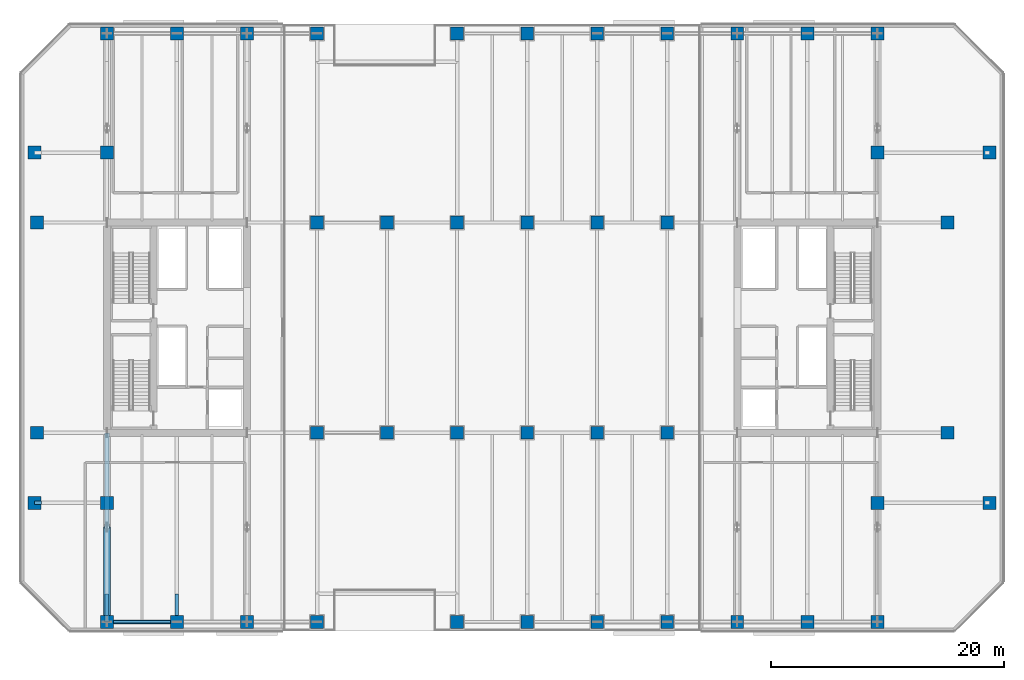
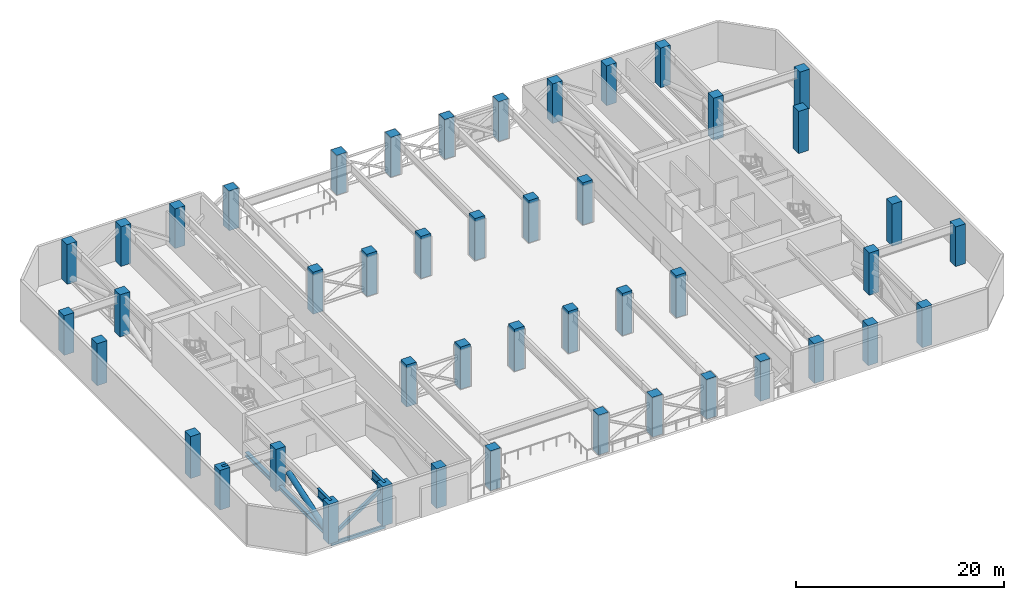
# One storey, part 1 of 22: 46 columns, 4 beams, 3 members.
"""IFC4 building model written with IfcOpenShell, lengths in metres."""

from ifc_helpers import new_model, si_unit, direction, frame, origin, origin_2d, place, context, subcontext, project, spatial, rectangle, hollow_rectangle, hollow_circle, i_section, extrude, material, material_profile, profile_set, type_object, element, save


model = new_model("IFC4")

# Units and contexts
model_context = context("Model", 3, precision=1e-05, world=origin(), true_north=direction((0.0, 1.0)))
body_context = subcontext(model_context, "Body", "Model", "MODEL_VIEW")
ifc_project = project(units=[si_unit("LENGTHUNIT", "METRE"), si_unit("AREAUNIT", "SQUARE_METRE"), si_unit("VOLUMEUNIT", "CUBIC_METRE"), si_unit("PLANEANGLEUNIT", "RADIAN"), si_unit("MASSUNIT", "GRAM", prefix="KILO")], contexts=[model_context])

# Site, building, storey
site_placement = place(None, origin())
site = spatial("IfcSite", under=ifc_project, at=site_placement, CompositionType="ELEMENT")
building_placement = place(site_placement, origin())
building = spatial("IfcBuilding", under=site, at=building_placement, Name="Tanjung Sevakor Pilgrim Tower", CompositionType="ELEMENT")
storey_placement = place(building_placement, frame((0.0, 0.0, 73.260009765625)))
storey = spatial("IfcBuildingStorey", under=building, at=storey_placement, Name="L20", CompositionType="ELEMENT", Elevation=73.260009765625)

# Columns
ifc_material_1 = material(Name="Concrete C60/75", Category="concrete")
ifc_material_profile_1 = material_profile(ifc_material_1, rectangle(XDim=1.10009765625, YDim=1.10009765625, at=origin_2d()))
ifc_profile_set_1 = profile_set([ifc_material_profile_1], Name="Concrete C60/75")
column_type = type_object("IfcColumnType", Name="COL-C-T1100-RC_1100x1100", PredefinedType="COLUMN", material=ifc_profile_set_1)
for number, where, z_axis, x_axis, name in (
    (1, (18.0, 24.60009765625, 0.0), (0.0, 0.0, 1.0), (1.0, 0.0, 0.0), "L20 Column SPW-018-246"),
    (2, (18.0, 42.60009765625, 0.0), (0.0, 0.0, 1.0), (1.0, 0.0, 0.0), "L20 Column SPW-018-426"),
    (3, (42.0, 24.60009765625, 0.0), (0.0, 0.0, 1.0), (1.0, 0.0, 0.0), "L20 Column SPW-042-246"),
    (4, (42.0, 42.60009765625, 0.0), (0.0, 0.0, 1.0), (1.0, 0.0, 0.0), "L20 Column SPW-042-426"),
    (5, (48.0, 24.60009765625, 0.0), (0.0, 0.0, 1.0), (1.0, 0.0, 0.0), "L20 Column SPW-048-246"),
    (6, (48.0, 42.60009765625, 0.0), (0.0, 0.0, 1.0), (1.0, 0.0, 0.0), "L20 Column SPW-048-426"),
    (7, (54.0, 24.60009765625, 0.0), (0.0, 0.0, 1.0), (1.0, 0.0, 0.0), "L20 Column SPE-054-246"),
    (8, (54.0, 42.60009765625, 0.0), (0.0, 0.0, 1.0), (1.0, 0.0, 0.0), "L20 Column SPE-054-426"),
    (9, (60.0, 24.60009765625, 0.0), (0.0, 0.0, 1.0), (1.0, 0.0, 0.0), "L20 Column SPE-060-246"),
    (10, (60.0, 42.60009765625, 0.0), (0.0, 0.0, 1.0), (1.0, 0.0, 0.0), "L20 Column SPE-060-426"),
    (11, (66.0, 24.60009765625, 0.0), (0.0, 0.0, 1.0), (1.0, 0.0, 0.0), "L20 Column SPE-066-246"),
    (12, (66.0, 42.60009765625, 0.0), (0.0, 0.0, 1.0), (1.0, 0.0, 0.0), "L20 Column SPE-066-426"),
    (13, (72.0, 24.60009765625, 0.0), (0.0, 0.0, 1.0), (1.0, 0.0, 0.0), "L20 Column SPE-072-246"),
    (14, (72.0, 42.60009765625, 0.0), (0.0, 0.0, 1.0), (1.0, 0.0, 0.0), "L20 Column SPE-072-426"),
    (15, (96.0, 24.60009765625, 0.0), (0.0, 0.0, 1.0), (1.0, 0.0, 0.0), "L20 Column SPE-096-246"),
    (16, (96.0, 42.60009765625, 0.0), (0.0, 0.0, 1.0), (1.0, 0.0, 0.0), "L20 Column SPE-096-426"),
):
    element("IfcColumn", number, at=place(storey_placement, frame(where, z_axis=z_axis, x_axis=x_axis)), inside=storey, type_object=column_type, Name=name, PredefinedType="COLUMN", context=body_context, shape_type="SweptSolid", body=[
        extrude(rectangle(XDim=1.10009765625, YDim=1.10009765625, at=origin_2d()), origin(), (0.0, 0.0, 1.0), 4.949951171875),
    ])
for number, where, z_axis, x_axis, name in (
    (17, (17.800048828125, 18.60009765625, 0.0), (0.0, 0.0, 1.0), (1.0, 0.0, 0.0), "L20 Column TCE-0178-186"),
    (18, (17.800048828125, 48.60009765625, 0.0), (0.0, 0.0, 1.0), (1.0, 0.0, 0.0), "L20 Column TCE-0178-486"),
):
    element("IfcColumn", number, at=place(storey_placement, frame(where, z_axis=z_axis, x_axis=x_axis)), inside=storey, type_object=column_type, Name=name, PredefinedType="COLUMN", context=body_context, shape_type="SweptSolid", body=[
        extrude(rectangle(XDim=1.10009765625, YDim=1.10009765625, at=origin_2d()), origin(), (0.0, 0.0, 1.0), 4.669921875),
    ])
for number, where, z_axis, x_axis, name in (
    (19, (24.0, 18.60009765625, 0.0), (0.0, 0.0, 1.0), (1.0, 0.0, 0.0), "L20 Column TCE-0240-186"),
    (20, (24.0, 48.60009765625, 0.0), (0.0, 0.0, 1.0), (1.0, 0.0, 0.0), "L20 Column TCE-0240-486"),
    (21, (90.0, 18.60009765625, 0.0), (0.0, 0.0, 1.0), (1.0, 0.0, 0.0), "L20 Column TCE-0900-186"),
    (22, (90.0, 48.60009765625, 0.0), (0.0, 0.0, 1.0), (1.0, 0.0, 0.0), "L20 Column TCE-0900-486"),
):
    element("IfcColumn", number, at=place(storey_placement, frame(where, z_axis=z_axis, x_axis=x_axis)), inside=storey, type_object=column_type, Name=name, PredefinedType="COLUMN", context=body_context, shape_type="SweptSolid", body=[
        extrude(rectangle(XDim=1.10009765625, YDim=1.10009765625, at=origin_2d()), origin(), (0.0, 0.0, 1.0), 4.949951171875),
    ])
for number, where, z_axis, x_axis, name in (
    (23, (99.60009765625, 18.60009765625, 0.0), (0.0, 0.0, 1.0), (1.0, 0.0, 0.0), "L20 Column TCE-0996-186"),
    (24, (99.60009765625, 48.60009765625, 0.0), (0.0, 0.0, 1.0), (1.0, 0.0, 0.0), "L20 Column TCE-0996-486"),
    (25, (24.0, 8.39990234375, 0.0), (0.0, 0.0, 1.0), (1.0, 0.0, 0.0), "L20 Column TC1-024-084"),
    (26, (24.0, 58.800048828125, 0.0), (0.0, 0.0, 1.0), (1.0, 0.0, 0.0), "L20 Column TC1-024-588"),
    (27, (30.0, 8.39990234375, 0.0), (0.0, 0.0, 1.0), (1.0, 0.0, 0.0), "L20 Column TC1-030-084"),
    (28, (30.0, 58.800048828125, 0.0), (0.0, 0.0, 1.0), (1.0, 0.0, 0.0), "L20 Column TC1-030-588"),
    (29, (36.0, 8.39990234375, 0.0), (0.0, 0.0, 1.0), (1.0, 0.0, 0.0), "L20 Column TC1-036-084"),
    (30, (36.0, 58.800048828125, 0.0), (0.0, 0.0, 1.0), (1.0, 0.0, 0.0), "L20 Column TC1-036-588"),
    (31, (42.0, 8.39990234375, 0.0), (0.0, 0.0, 1.0), (1.0, 0.0, 0.0), "L20 Column TC1-042-084"),
    (32, (42.0, 58.800048828125, 0.0), (0.0, 0.0, 1.0), (1.0, 0.0, 0.0), "L20 Column TC1-042-588"),
    (33, (54.0, 8.39990234375, 0.0), (0.0, 0.0, 1.0), (1.0, 0.0, 0.0), "L20 Column TC1-054-084"),
    (34, (54.0, 58.800048828125, 0.0), (0.0, 0.0, 1.0), (1.0, 0.0, 0.0), "L20 Column TC1-054-588"),
    (35, (60.0, 8.39990234375, 0.0), (0.0, 0.0, 1.0), (1.0, 0.0, 0.0), "L20 Column TC1-060-084"),
    (36, (60.0, 58.800048828125, 0.0), (0.0, 0.0, 1.0), (1.0, 0.0, 0.0), "L20 Column TC1-060-588"),
    (37, (66.0, 8.39990234375, 0.0), (0.0, 0.0, 1.0), (1.0, 0.0, 0.0), "L20 Column TC1-066-084"),
    (38, (66.0, 58.800048828125, 0.0), (0.0, 0.0, 1.0), (1.0, 0.0, 0.0), "L20 Column TC1-066-588"),
    (39, (72.0, 8.39990234375, 0.0), (0.0, 0.0, 1.0), (1.0, 0.0, 0.0), "L20 Column TC1-072-084"),
    (40, (72.0, 58.800048828125, 0.0), (0.0, 0.0, 1.0), (1.0, 0.0, 0.0), "L20 Column TC1-072-588"),
    (41, (78.0, 8.39990234375, 0.0), (0.0, 0.0, 1.0), (1.0, 0.0, 0.0), "L20 Column TC1-078-084"),
    (42, (78.0, 58.800048828125, 0.0), (0.0, 0.0, 1.0), (1.0, 0.0, 0.0), "L20 Column TC1-078-588"),
    (43, (84.0, 8.39990234375, 0.0), (0.0, 0.0, 1.0), (1.0, 0.0, 0.0), "L20 Column TC1-084-084"),
    (44, (84.0, 58.800048828125, 0.0), (0.0, 0.0, 1.0), (1.0, 0.0, 0.0), "L20 Column TC1-084-588"),
    (45, (90.0, 8.39990234375, 0.0), (0.0, 0.0, 1.0), (1.0, 0.0, 0.0), "L20 Column TC1-090-084"),
    (46, (90.0, 58.800048828125, 0.0), (0.0, 0.0, 1.0), (1.0, 0.0, 0.0), "L20 Column TC1-090-588"),
):
    element("IfcColumn", number, at=place(storey_placement, frame(where, z_axis=z_axis, x_axis=x_axis)), inside=storey, type_object=column_type, Name=name, PredefinedType="COLUMN", context=body_context, shape_type="SweptSolid", body=[
        extrude(rectangle(XDim=1.10009765625, YDim=1.10009765625, at=origin_2d()), origin(), (0.0, 0.0, 1.0), 4.669921875),
    ])

# Beams
ifc_material_2 = material(Name="Steel S460M", Category="steel")
ifc_material_profile_2 = material_profile(ifc_material_2, i_section(OverallWidth=0.302001953125, OverallDepth=1.008056640625, WebThickness=0.02099609375, FlangeThickness=0.0400390625, FilletRadius=0.030029296875, at=origin_2d()))
ifc_profile_set_2 = profile_set([ifc_material_profile_2], Name="Steel S460M")
beam_type_1 = type_object("IfcBeamType", Name="BM-B-G7-HE_1000M", PredefinedType="BEAM", material=ifc_profile_set_2)
beam_1_placement = place(storey_placement, frame((17.800048828125, 18.60009765625, 4.166015625), z_axis=(1.0, 0.0, 0.0), x_axis=(0.0, 1.0, 0.0)))
element("IfcBeam", 47, at=beam_1_placement, inside=storey, type_object=beam_type_1, Name="L20 Short-End Setback Transfer Girder W Y18.6-1", PredefinedType="BEAM", context=body_context, shape_type="SweptSolid", body=[
    extrude(i_section(OverallWidth=0.302001953125, OverallDepth=1.008056640625, WebThickness=0.02099609375, FlangeThickness=0.0400390625, FilletRadius=0.030029296875, at=origin_2d()), origin(), (0.0, 0.0, 1.0), 0.599853515625),
])
for number, where, z_axis, x_axis, name in (
    (48, (24.0, 8.39990234375, 4.166015625), (0.0, 1.0, 0.0), (-1.0, 0.0, 0.0), "L20 Setback Transfer Girder South X24-1"),
    (49, (30.0, 8.39990234375, 4.166015625), (0.0, 1.0, 0.0), (-1.0, 0.0, 0.0), "L20 Setback Transfer Girder South X30-1"),
):
    element("IfcBeam", number, at=place(storey_placement, frame(where, z_axis=z_axis, x_axis=x_axis)), inside=storey, type_object=beam_type_1, Name=name, PredefinedType="BEAM", context=body_context, shape_type="SweptSolid", body=[
        extrude(i_section(OverallWidth=0.302001953125, OverallDepth=1.008056640625, WebThickness=0.02099609375, FlangeThickness=0.0400390625, FilletRadius=0.030029296875, at=origin_2d()), origin(), (0.0, 0.0, 1.0), 2.400146484375),
    ])
ifc_material_3 = material(Name="Steel S355J2", Category="steel")
ifc_material_profile_3 = material_profile(ifc_material_3, hollow_rectangle(XDim=0.199951171875, YDim=0.39990234375, WallThickness=0.01611328125, at=origin_2d()))
ifc_profile_set_3 = profile_set([ifc_material_profile_3], Name="Steel S355J2")
beam_type_2 = type_object("IfcBeamType", Name="BM-B-SP2-RHS_400x200x16", PredefinedType="SPANDREL", material=ifc_profile_set_3)
beam_2_placement = place(storey_placement, frame((24.0, 8.39990234375, -0.47998046875), z_axis=(1.0, 0.0, 0.0), x_axis=(0.0, 1.0, 0.0)))
element("IfcBeam", 50, at=beam_2_placement, inside=storey, type_object=beam_type_2, Name="L20 Spandrel MAIN S-01", PredefinedType="SPANDREL", context=body_context, shape_type="SweptSolid", body=[
    extrude(hollow_rectangle(XDim=0.199951171875, YDim=0.39990234375, WallThickness=0.01611328125, at=origin_2d()), origin(), (0.0, 0.0, 1.0), 6.0),
])

# Members
ifc_material_4 = material(Name="Steel S460M", Category="steel")
ifc_material_profile_4 = material_profile(ifc_material_4, hollow_circle(Radius=0.304931640625, WallThickness=0.030029296875, at=origin_2d()))
ifc_profile_set_4 = profile_set([ifc_material_profile_4], Name="Steel S460M")
member_type_1 = type_object("IfcMemberType", Name="MEM-M-BR2-CHS_610x30", PredefinedType="BRACE", material=ifc_profile_set_4)
member_1_placement = place(storey_placement, frame((24.0, 8.39990234375, 0.35009765625), z_axis=(0.0, 0.949037396078, 0.315163482729), x_axis=(-1.0, 0.0, 0.0)))
element("IfcMember", 51, at=member_1_placement, inside=storey, type_object=member_type_1, Name="OT-2 L20 Outrigger Truss Diagonal 1 X24 S", PredefinedType="BRACE", context=body_context, shape_type="SweptSolid", body=[
    extrude(hollow_circle(Radius=0.304931640625, WallThickness=0.030029296875, at=origin_2d()), origin(), (0.0, 0.0, 1.0), 8.53515625),
])
ifc_material_5 = material(Name="Steel S460M", Category="steel")
ifc_material_profile_5 = material_profile(ifc_material_5, hollow_rectangle(XDim=0.35009765625, YDim=0.35009765625, WallThickness=0.01611328125, at=origin_2d()))
ifc_profile_set_5 = profile_set([ifc_material_profile_5], Name="Steel S460M")
member_type_2 = type_object("IfcMemberType", Name="MEM-M-BR7-SHS_350x350x16", PredefinedType="BRACE", material=ifc_profile_set_5)
member_2_placement = place(storey_placement, frame((24.0, 8.39990234375, 0.35009765625), z_axis=(0.832956473164, 0.0, 0.553338516474), x_axis=(0.0, 1.0, 0.0)))
element("IfcMember", 52, at=member_2_placement, inside=storey, type_object=member_type_2, Name="BT-1 L20 Belt Truss Diagonal Brace S-01", PredefinedType="BRACE", context=body_context, shape_type="SweptSolid", body=[
    extrude(hollow_rectangle(XDim=0.35009765625, YDim=0.35009765625, WallThickness=0.01611328125, at=origin_2d()), origin(), (0.0, 0.0, 1.0), 7.203369140625),
])
ifc_material_6 = material(Name="Steel S460M", Category="steel")
ifc_material_profile_6 = material_profile(ifc_material_6, i_section(OverallWidth=0.41845703125, OverallDepth=0.45556640625, WebThickness=0.0419921875, FlangeThickness=0.0673828125, FilletRadius=0.01513671875, at=origin_2d()))
ifc_profile_set_6 = profile_set([ifc_material_profile_6], Name="Steel S460M")
member_type_3 = type_object("IfcMemberType", Name="MEM-M-CH2-UC_356x406x551", PredefinedType="CHORD", material=ifc_profile_set_6)
member_3_placement = place(storey_placement, frame((24.0, 8.39990234375, 0.35009765625), z_axis=(0.0, 1.0, 0.0), x_axis=(-1.0, 0.0, 0.0)))
element("IfcMember", 53, at=member_3_placement, inside=storey, type_object=member_type_3, Name="OT-1 L20 Outrigger Truss Chord X24 S", PredefinedType="CHORD", context=body_context, shape_type="SweptSolid", body=[
    extrude(i_section(OverallWidth=0.41845703125, OverallDepth=0.45556640625, WebThickness=0.0419921875, FlangeThickness=0.0673828125, FilletRadius=0.01513671875, at=origin_2d()), origin(), (0.0, 0.0, 1.0), 16.2001953125),
])

save(model, "model.ifc")
